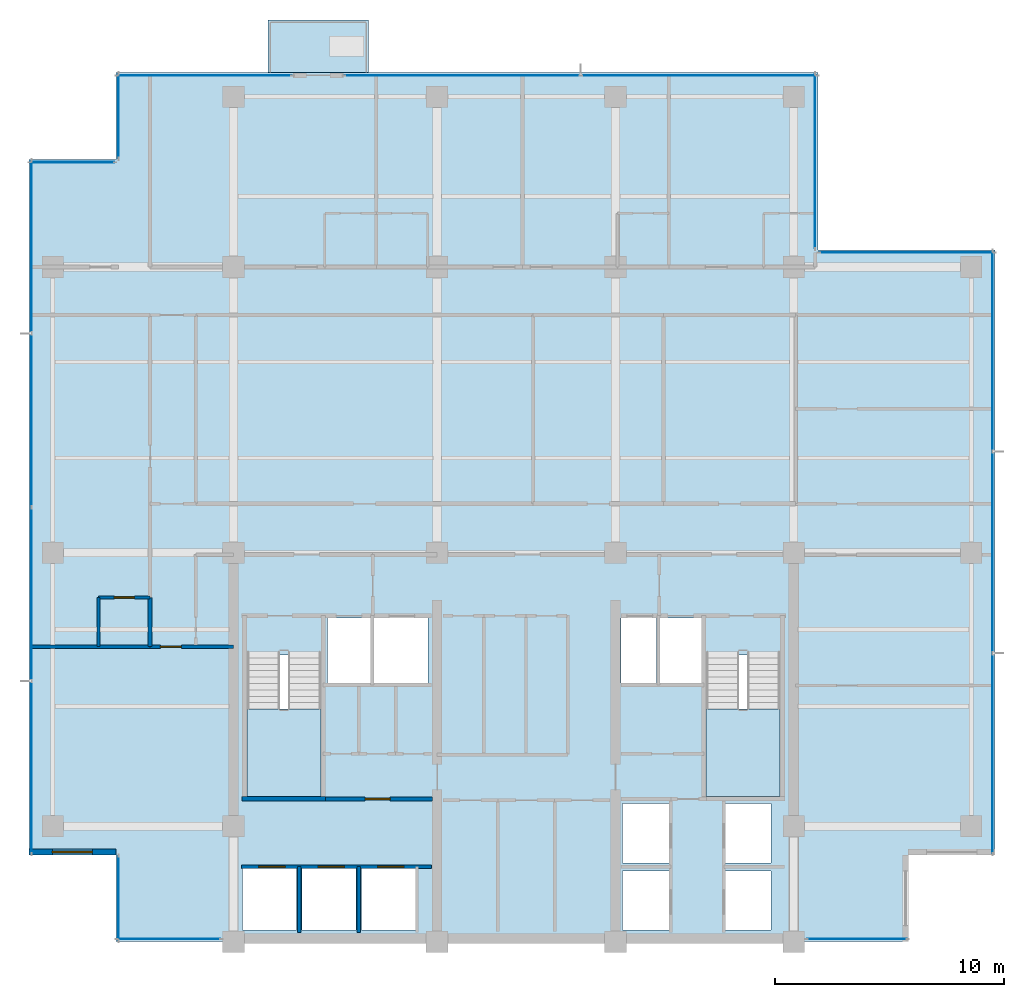
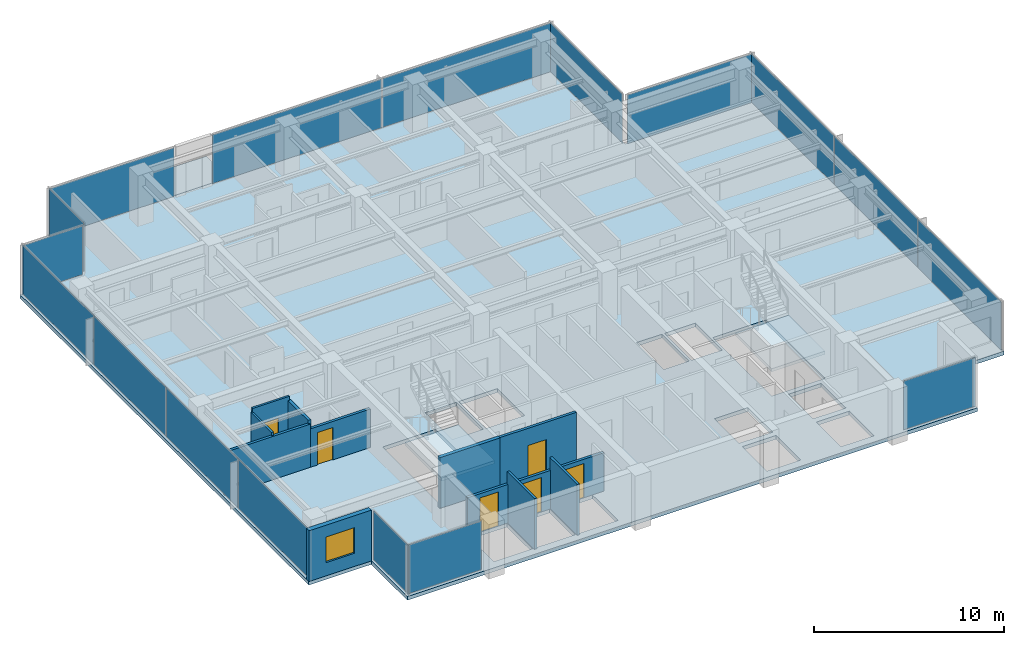
# One storey, part 6 of 14: 17 plates, 11 walls, 6 doors, 4 slabs, 1 window, 7 openings, 13 elements without a shape of their own.
"""IFC4 building model written with IfcOpenShell, lengths in metres."""

from ifc_helpers import new_model, si_unit, direction, frame, frame_2d, origin, origin_2d, place, context, subcontext, project, spatial, polyline, rectangle, outline, extrude, material, layer, layer_set, type_object, element, fill, aggregate, save


model = new_model("IFC4")

# Units and contexts
model_context = context("Model", 3, precision=1e-05, world=origin(), true_north=direction((0.0, 1.0)))
body_context = subcontext(model_context, "Body", "Model", "MODEL_VIEW")
ifc_project = project(units=[si_unit("LENGTHUNIT", "METRE"), si_unit("AREAUNIT", "SQUARE_METRE"), si_unit("VOLUMEUNIT", "CUBIC_METRE"), si_unit("PLANEANGLEUNIT", "RADIAN"), si_unit("MASSUNIT", "GRAM", prefix="KILO")], contexts=[model_context])

# Site, building, storey
site_placement = place(None, origin())
site = spatial("IfcSite", under=ifc_project, at=site_placement, CompositionType="ELEMENT")
building_placement = place(site_placement, origin())
building = spatial("IfcBuilding", under=site, at=building_placement, Name="Qalmaran Belvedere Hotel", CompositionType="ELEMENT")
storey_placement = place(building_placement, frame((0.0, 0.0, 228.39990234375)))
storey = spatial("IfcBuildingStorey", under=building, at=storey_placement, Name="L58", CompositionType="ELEMENT", Elevation=228.39990234375)

# Curtain wall, plate
ifc_material_1 = material(Name="Anodised Bronze Aluminium", Category="aluminium")
ifc_layer_1 = layer(ifc_material_1, 0.18994140625, Name="Anodised Bronze Aluminium")
ifc_layer_set_1 = layer_set([ifc_layer_1], Name="Anodised Bronze Aluminium")
curtain_wall_type = type_object("IfcCurtainWallType", Name="CW5-TOWER-UPPER", PredefinedType="NOTDEFINED", material=ifc_layer_set_1)
curtain_wall_1_placement = place(storey_placement, origin())
curtain_wall_1 = element("IfcCurtainWall", 1, at=curtain_wall_1_placement, inside=storey, type_object=curtain_wall_type, Name="L58 Curtain Wall CW5", PredefinedType="NOTDEFINED")
ifc_material_2 = material(Name="Solar-Control Double Glazing", Category="glass")
ifc_layer_2 = layer(ifc_material_2, 0.028076171875, Name="Solar-Control Double Glazing")
ifc_layer_set_2 = layer_set([ifc_layer_2], Name="Solar-Control Double Glazing")
plate_type = type_object("IfcPlateType", Name="CWP-VISION-28", PredefinedType="CURTAIN_PANEL", material=ifc_layer_set_2)
plate_1_placement = place(storey_placement, frame((17.467529296875, 3.6201171875, 0.065185546875), z_axis=(0.0, 0.0, 1.0), x_axis=(1.0, 0.0, 0.0)))
plate_1 = element("IfcPlate", 2, at=plate_1_placement, type_object=plate_type, Name="CW5 panel 1.1", PredefinedType="CURTAIN_PANEL", context=body_context, shape_type="SweptSolid", body=[
    extrude(rectangle(XDim=4.5048828125, YDim=0.028076171875, at=origin_2d()), origin(), (0.0, 0.0, 1.0), 3.1298828125),
])
aggregate(curtain_wall_1, [plate_1])

curtain_wall_2_placement = place(storey_placement, origin())
curtain_wall_2 = element("IfcCurtainWall", 3, at=curtain_wall_2_placement, inside=storey, type_object=curtain_wall_type, Name="L58 Curtain Wall CW5", PredefinedType="NOTDEFINED")
plate_2_placement = place(storey_placement, frame((47.5576171875, 3.6201171875, 0.065185546875), z_axis=(0.0, 0.0, 1.0), x_axis=(1.0, 0.0, 0.0)))
plate_2 = element("IfcPlate", 4, at=plate_2_placement, type_object=plate_type, Name="CW5 panel 1.1", PredefinedType="CURTAIN_PANEL", context=body_context, shape_type="SweptSolid", body=[
    extrude(rectangle(XDim=4.35498046875, YDim=0.028076171875, at=origin_2d()), origin(), (0.0, 0.0, 1.0), 3.1298828125),
])
aggregate(curtain_wall_2, [plate_2])

# Curtain wall, plates
curtain_wall_3_placement = place(storey_placement, origin())
curtain_wall_3 = element("IfcCurtainWall", 5, at=curtain_wall_3_placement, inside=storey, type_object=curtain_wall_type, Name="L58 Curtain Wall CW5", PredefinedType="NOTDEFINED")
plate_3_placement = place(storey_placement, frame((53.47998046875, 11.724609375, 0.065185546875), z_axis=(0.0, 0.0, 1.0), x_axis=(0.0, 1.0, 0.0)))
plate_3 = element("IfcPlate", 6, at=plate_3_placement, type_object=plate_type, Name="CW5 panel 1.1", PredefinedType="CURTAIN_PANEL", context=body_context, shape_type="SweptSolid", body=[
    extrude(rectangle(XDim=8.71923828125, YDim=0.028076171875, at=origin_2d()), origin(), (0.0, 0.0, 1.0), 3.1298828125),
])
plate_4_placement = place(storey_placement, frame((53.47998046875, 20.52490234375, 0.065185546875), z_axis=(0.0, 0.0, 1.0), x_axis=(0.0, 1.0, 0.0)))
plate_4 = element("IfcPlate", 7, at=plate_4_placement, type_object=plate_type, Name="CW5 panel 2.1", PredefinedType="CURTAIN_PANEL", context=body_context, shape_type="SweptSolid", body=[
    extrude(rectangle(XDim=8.751708984375, YDim=0.028076171875, at=origin_2d()), origin(), (0.0, 0.0, 1.0), 3.1298828125),
])
plate_5_placement = place(storey_placement, frame((53.47998046875, 29.325439453125, 0.065185546875), z_axis=(0.0, 0.0, 1.0), x_axis=(0.0, 1.0, 0.0)))
plate_5 = element("IfcPlate", 8, at=plate_5_placement, type_object=plate_type, Name="CW5 panel 3.1", PredefinedType="CURTAIN_PANEL", context=body_context, shape_type="SweptSolid", body=[
    extrude(rectangle(XDim=8.71923828125, YDim=0.028076171875, at=origin_2d()), origin(), (0.0, 0.0, 1.0), 3.1298828125),
])
aggregate(curtain_wall_3, [plate_3, plate_4, plate_5])

# Curtain wall, plate
curtain_wall_4_placement = place(storey_placement, origin())
curtain_wall_4 = element("IfcCurtainWall", 9, at=curtain_wall_4_placement, inside=storey, type_object=curtain_wall_type, Name="L58 Curtain Wall CW5", PredefinedType="NOTDEFINED")
plate_6_placement = place(storey_placement, frame((49.72509765625, 33.6298828125, 0.065185546875), z_axis=(0.0, 0.0, 1.0), x_axis=(-1.0, 0.0, 0.0)))
plate_6 = element("IfcPlate", 10, at=plate_6_placement, type_object=plate_type, Name="CW5 panel 1.1", PredefinedType="CURTAIN_PANEL", context=body_context, shape_type="SweptSolid", body=[
    extrude(rectangle(XDim=7.6201171875, YDim=0.028076171875, at=origin_2d()), origin(), (0.0, 0.0, 1.0), 3.1298828125),
])
aggregate(curtain_wall_4, [plate_6])

curtain_wall_5_placement = place(storey_placement, origin())
curtain_wall_5 = element("IfcCurtainWall", 11, at=curtain_wall_5_placement, inside=storey, type_object=curtain_wall_type, Name="L58 Curtain Wall CW5", PredefinedType="NOTDEFINED")
plate_7_placement = place(storey_placement, frame((45.72998046875, 37.625, 0.065185546875), z_axis=(0.0, 0.0, 1.0), x_axis=(0.0, 1.0, 0.0)))
plate_7 = element("IfcPlate", 12, at=plate_7_placement, type_object=plate_type, Name="CW5 panel 1.1", PredefinedType="CURTAIN_PANEL", context=body_context, shape_type="SweptSolid", body=[
    extrude(rectangle(XDim=7.6201171875, YDim=0.028076171875, at=origin_2d()), origin(), (0.0, 0.0, 1.0), 3.1298828125),
])
aggregate(curtain_wall_5, [plate_7])

curtain_wall_6_placement = place(storey_placement, origin())
curtain_wall_6 = element("IfcCurtainWall", 13, at=curtain_wall_6_placement, inside=storey, type_object=curtain_wall_type, Name="L58 Curtain Wall CW5", PredefinedType="NOTDEFINED")
plate_8_placement = place(storey_placement, frame((19.02490234375, 41.3798828125, 0.065185546875), z_axis=(0.0, 0.0, 1.0), x_axis=(-1.0, 0.0, 0.0)))
plate_8 = element("IfcPlate", 14, at=plate_8_placement, type_object=plate_type, Name="CW5 panel 1.1", PredefinedType="CURTAIN_PANEL", context=body_context, shape_type="SweptSolid", body=[
    extrude(rectangle(XDim=7.6201171875, YDim=0.028076171875, at=origin_2d()), origin(), (0.0, 0.0, 1.0), 3.1298828125),
])
aggregate(curtain_wall_6, [plate_8])

# Curtain wall, plates
curtain_wall_7_placement = place(storey_placement, origin())
curtain_wall_7 = element("IfcCurtainWall", 15, at=curtain_wall_7_placement, inside=storey, type_object=curtain_wall_type, Name="L58 Curtain Wall CW5", PredefinedType="NOTDEFINED")
plate_9_placement = place(storey_placement, frame((40.646240234375, 41.3798828125, 0.065185546875), z_axis=(0.0, 0.0, 1.0), x_axis=(-1.0, 0.0, 0.0)))
plate_9 = element("IfcPlate", 16, at=plate_9_placement, type_object=plate_type, Name="CW5 panel 1.1", PredefinedType="CURTAIN_PANEL", context=body_context, shape_type="SweptSolid", body=[
    extrude(rectangle(XDim=10.277587890625, YDim=0.028076171875, at=origin_2d()), origin(), (0.0, 0.0, 1.0), 3.1298828125),
])
plate_10_placement = place(storey_placement, frame((30.3037109375, 41.3798828125, 0.065185546875), z_axis=(0.0, 0.0, 1.0), x_axis=(-1.0, 0.0, 0.0)))
plate_10 = element("IfcPlate", 17, at=plate_10_placement, type_object=plate_type, Name="CW5 panel 2.1", PredefinedType="CURTAIN_PANEL", context=body_context, shape_type="SweptSolid", body=[
    extrude(rectangle(XDim=10.277587890625, YDim=0.028076171875, at=origin_2d()), origin(), (0.0, 0.0, 1.0), 3.1298828125),
])
aggregate(curtain_wall_7, [plate_9, plate_10])

# Curtain wall, plate
curtain_wall_8_placement = place(storey_placement, origin())
curtain_wall_8 = element("IfcCurtainWall", 18, at=curtain_wall_8_placement, inside=storey, type_object=curtain_wall_type, Name="L58 Curtain Wall CW5", PredefinedType="NOTDEFINED")
plate_11_placement = place(storey_placement, frame((15.27001953125, 39.60009765625, 0.065185546875), z_axis=(0.0, 0.0, 1.0), x_axis=(0.0, -1.0, 0.0)))
plate_11 = element("IfcPlate", 19, at=plate_11_placement, type_object=plate_type, Name="CW5 panel 1.1", PredefinedType="CURTAIN_PANEL", context=body_context, shape_type="SweptSolid", body=[
    extrude(rectangle(XDim=3.669921875, YDim=0.028076171875, at=origin_2d()), origin(), (0.0, 0.0, 1.0), 3.1298828125),
])
aggregate(curtain_wall_8, [plate_11])

curtain_wall_9_placement = place(storey_placement, origin())
curtain_wall_9 = element("IfcCurtainWall", 20, at=curtain_wall_9_placement, inside=storey, type_object=curtain_wall_type, Name="L58 Curtain Wall CW5", PredefinedType="NOTDEFINED")
plate_12_placement = place(storey_placement, frame((13.25, 37.580078125, 0.065185546875), z_axis=(0.0, 0.0, 1.0), x_axis=(-1.0, 0.0, 0.0)))
plate_12 = element("IfcPlate", 21, at=plate_12_placement, type_object=plate_type, Name="CW5 panel 1.1", PredefinedType="CURTAIN_PANEL", context=body_context, shape_type="SweptSolid", body=[
    extrude(rectangle(XDim=3.669921875, YDim=0.028076171875, at=origin_2d()), origin(), (0.0, 0.0, 1.0), 3.1298828125),
])
aggregate(curtain_wall_9, [plate_12])

# Curtain wall, plates
curtain_wall_10_placement = place(storey_placement, origin())
curtain_wall_10 = element("IfcCurtainWall", 22, at=curtain_wall_10_placement, inside=storey, type_object=curtain_wall_type, Name="L58 Curtain Wall CW5", PredefinedType="NOTDEFINED")
plate_13_placement = place(storey_placement, frame((11.469970703125, 33.8837890625, 0.065185546875), z_axis=(0.0, 0.0, 1.0), x_axis=(0.0, -1.0, 0.0)))
plate_13 = element("IfcPlate", 23, at=plate_13_placement, type_object=plate_type, Name="CW5 panel 1.1", PredefinedType="CURTAIN_PANEL", context=body_context, shape_type="SweptSolid", body=[
    extrude(rectangle(XDim=7.50244140625, YDim=0.028076171875, at=origin_2d()), origin(), (0.0, 0.0, 1.0), 3.1298828125),
])
plate_14_placement = place(storey_placement, frame((11.469970703125, 26.300048828125, 0.065185546875), z_axis=(0.0, 0.0, 1.0), x_axis=(0.0, -1.0, 0.0)))
plate_14 = element("IfcPlate", 24, at=plate_14_placement, type_object=plate_type, Name="CW5 panel 2.1", PredefinedType="CURTAIN_PANEL", context=body_context, shape_type="SweptSolid", body=[
    extrude(rectangle(XDim=7.534912109375, YDim=0.028076171875, at=origin_2d()), origin(), (0.0, 0.0, 1.0), 3.1298828125),
])
plate_15_placement = place(storey_placement, frame((11.469970703125, 18.699951171875, 0.065185546875), z_axis=(0.0, 0.0, 1.0), x_axis=(0.0, -1.0, 0.0)))
plate_15 = element("IfcPlate", 25, at=plate_15_placement, type_object=plate_type, Name="CW5 panel 3.1", PredefinedType="CURTAIN_PANEL", context=body_context, shape_type="SweptSolid", body=[
    extrude(rectangle(XDim=7.534912109375, YDim=0.028076171875, at=origin_2d()), origin(), (0.0, 0.0, 1.0), 3.1298828125),
])
plate_16_placement = place(storey_placement, frame((11.469970703125, 11.1162109375, 0.065185546875), z_axis=(0.0, 0.0, 1.0), x_axis=(0.0, -1.0, 0.0)))
plate_16 = element("IfcPlate", 26, at=plate_16_placement, type_object=plate_type, Name="CW5 panel 4.1", PredefinedType="CURTAIN_PANEL", context=body_context, shape_type="SweptSolid", body=[
    extrude(rectangle(XDim=7.50244140625, YDim=0.028076171875, at=origin_2d()), origin(), (0.0, 0.0, 1.0), 3.1298828125),
])
aggregate(curtain_wall_10, [plate_13, plate_14, plate_15, plate_16])

# Curtain wall, plate
curtain_wall_11_placement = place(storey_placement, origin())
curtain_wall_11 = element("IfcCurtainWall", 27, at=curtain_wall_11_placement, inside=storey, type_object=curtain_wall_type, Name="L58 Curtain Wall CW5", PredefinedType="NOTDEFINED")
plate_17_placement = place(storey_placement, frame((15.27001953125, 5.39990234375, 0.065185546875), z_axis=(0.0, 0.0, 1.0), x_axis=(0.0, -1.0, 0.0)))
plate_17 = element("IfcPlate", 28, at=plate_17_placement, type_object=plate_type, Name="CW5 panel 1.1", PredefinedType="CURTAIN_PANEL", context=body_context, shape_type="SweptSolid", body=[
    extrude(rectangle(XDim=3.669921875, YDim=0.028076171875, at=origin_2d()), origin(), (0.0, 0.0, 1.0), 3.1298828125),
])
aggregate(curtain_wall_11, [plate_17])

# Slab
ifc_material_3 = material(Name="Concrete C40/50", Category="concrete")
ifc_layer_3 = layer(ifc_material_3, 0.219970703125, Name="Concrete C40/50")
ifc_layer_set_3 = layer_set([ifc_layer_3], Name="Concrete C40/50")
slab_type_1 = type_object("IfcSlabType", Name="SLB-BAL-220", PredefinedType="USERDEFINED", material=ifc_layer_set_3)
slab_1_placement = place(storey_placement, frame((0.0, 0.0, -0.219970703125)))
element("IfcSlab", 29, at=slab_1_placement, inside=storey, type_object=slab_type_1, Name="L58 Planted Tree Balcony Slab 1", ObjectType="BALCONY", PredefinedType="USERDEFINED", context=body_context, shape_type="SweptSolid", body=[
    extrude(outline(polyline([(21.800048828125, 41.5), (26.199951171875, 41.5), (26.199951171875, 43.800048828125), (21.800048828125, 43.800048828125), (21.800048828125, 41.5)])), origin(), (0.0, 0.0, 1.0), 0.219970703125),
])

# Stair, slab
stair_type_1 = type_object("IfcStairType", Name="STR-ST-1-1450-R1750", PredefinedType="HALF_TURN_STAIR", material=ifc_material_3)
stair_1_placement = place(storey_placement, origin())
stair_1 = element("IfcStair", 30, at=stair_1_placement, inside=storey, type_object=stair_type_1, Name="L58 West Core Exit Stair ST-1", PredefinedType="HALF_TURN_STAIR")
ifc_layer_4 = layer(ifc_material_3, 0.199951171875, Name="Concrete C40/50")
ifc_layer_set_4 = layer_set([ifc_layer_4], Name="Concrete C40/50")
slab_type_2 = type_object("IfcSlabType", Name="SLB-STAIR-LANDING-200", PredefinedType="LANDING", material=ifc_layer_set_4)
slab_2_placement = place(storey_placement, frame((0.0, 0.0, 1.550048828125)))
slab_2 = element("IfcSlab", 31, at=slab_2_placement, type_object=slab_type_2, Name="ST-1 landing 1", PredefinedType="LANDING", context=body_context, shape_type="SweptSolid", body=[
    extrude(outline(polyline([(20.8798828125, 13.669921875), (20.8798828125, 9.85009765625), (24.1201171875, 9.85009765625), (24.1201171875, 13.669921875), (20.8798828125, 13.669921875)])), origin(), (0.0, 0.0, 1.0), 0.199951171875),
])
aggregate(stair_1, [slab_2])

stair_type_2 = type_object("IfcStairType", Name="STR-ST-2-1450-R1750", PredefinedType="HALF_TURN_STAIR", material=ifc_material_3)
stair_2_placement = place(storey_placement, origin())
stair_2 = element("IfcStair", 32, at=stair_2_placement, inside=storey, type_object=stair_type_2, Name="L58 East Core Exit Stair ST-2", PredefinedType="HALF_TURN_STAIR")
slab_3_placement = place(storey_placement, frame((0.0, 0.0, 1.550048828125)))
slab_3 = element("IfcSlab", 33, at=slab_3_placement, type_object=slab_type_2, Name="ST-2 landing 1", PredefinedType="LANDING", context=body_context, shape_type="SweptSolid", body=[
    extrude(outline(polyline([(40.9599609375, 13.669921875), (40.9599609375, 9.85009765625), (44.199951171875, 9.85009765625), (44.199951171875, 13.669921875), (40.9599609375, 13.669921875)])), origin(), (0.0, 0.0, 1.0), 0.199951171875),
])
aggregate(stair_2, [slab_3])

# Slab
ifc_layer_5 = layer(ifc_material_3, 0.239990234375, Name="Concrete C40/50")
ifc_layer_set_5 = layer_set([ifc_layer_5], Name="Concrete C40/50")
slab_type_3 = type_object("IfcSlabType", Name="SLB-Z4-240", PredefinedType="FLOOR", material=ifc_layer_set_5)
slab_4_placement = place(storey_placement, frame((0.0, 0.0, -0.239990234375)))
element("IfcSlab", 34, at=slab_4_placement, inside=storey, type_object=slab_type_3, Name="L58 Structural Floor Slab", PredefinedType="FLOOR", context=body_context, shape_type="SweptSolid", body=[
    extrude(outline(polyline([(15.14990234375, 3.5), (49.800048828125, 3.5), (49.800048828125, 7.300048828125), (53.60009765625, 7.300048828125), (53.60009765625, 33.75), (45.85009765625, 33.75), (45.85009765625, 41.5), (15.14990234375, 41.5), (15.14990234375, 37.699951171875), (11.35009765625, 37.699951171875), (11.35009765625, 7.300048828125), (15.14990234375, 7.300048828125), (15.14990234375, 3.5)]), holes=[polyline([(20.8798828125, 9.85009765625), (24.1201171875, 9.85009765625), (24.1201171875, 16.0400390625), (20.8798828125, 16.0400390625), (20.8798828125, 9.85009765625)]), polyline([(40.9599609375, 9.85009765625), (44.199951171875, 9.85009765625), (44.199951171875, 16.0400390625), (40.9599609375, 16.0400390625), (40.9599609375, 9.85009765625)]), polyline([(37.300048828125, 4.0), (39.35009765625, 4.0), (39.35009765625, 6.60009765625), (37.300048828125, 6.60009765625), (37.300048828125, 4.0)]), polyline([(37.300048828125, 6.949951171875), (39.35009765625, 6.949951171875), (39.35009765625, 9.550048828125), (37.300048828125, 9.550048828125), (37.300048828125, 6.949951171875)]), polyline([(41.800048828125, 4.0), (43.800048828125, 4.0), (43.800048828125, 6.60009765625), (41.800048828125, 6.60009765625), (41.800048828125, 4.0)]), polyline([(41.800048828125, 6.949951171875), (43.800048828125, 6.949951171875), (43.800048828125, 9.550048828125), (41.800048828125, 9.550048828125), (41.800048828125, 6.949951171875)]), polyline([(20.699951171875, 4.0), (23.050048828125, 4.0), (23.050048828125, 6.699951171875), (20.699951171875, 6.699951171875), (20.699951171875, 4.0)]), polyline([(23.300048828125, 4.0), (25.64990234375, 4.0), (25.64990234375, 6.699951171875), (23.300048828125, 6.699951171875), (23.300048828125, 4.0)]), polyline([(25.89990234375, 4.0), (28.25, 4.0), (28.25, 6.699951171875), (25.89990234375, 6.699951171875), (25.89990234375, 4.0)]), polyline([(24.39990234375, 14.800048828125), (26.300048828125, 14.800048828125), (26.300048828125, 17.64990234375), (24.39990234375, 17.64990234375), (24.39990234375, 14.800048828125)]), polyline([(38.949951171875, 14.800048828125), (40.820068359375, 14.800048828125), (40.820068359375, 17.64990234375), (38.949951171875, 17.64990234375), (38.949951171875, 14.800048828125)]), polyline([(26.449951171875, 14.800048828125), (28.800048828125, 14.800048828125), (28.800048828125, 17.64990234375), (26.449951171875, 17.64990234375), (26.449951171875, 14.800048828125)]), polyline([(37.25, 14.800048828125), (38.800048828125, 14.800048828125), (38.800048828125, 17.64990234375), (37.25, 17.64990234375), (37.25, 14.800048828125)])]), origin(), (0.0, 0.0, 1.0), 0.239990234375),
])

# Wall, opening, window
ifc_material_4 = material(Name="Anodised Bronze Cladding")
ifc_layer_6 = layer(ifc_material_4, 0.280029296875, Name="Anodised Bronze Cladding")
ifc_layer_set_6 = layer_set([ifc_layer_6], Name="Anodised Bronze Cladding")
wall_type_1 = type_object("IfcWallType", Name="WL-EXT-BRNZ-280", PredefinedType="SOLIDWALL", material=ifc_layer_set_6)
wall_1_placement = place(storey_placement, frame((11.35009765625, 7.419921875, 0.0), z_axis=(0.0, 0.0, 1.0), x_axis=(1.0, 0.0, 0.0)))
wall_1 = element("IfcWall", 35, at=wall_1_placement, inside=storey, type_object=wall_type_1, Name="L58 Corner Notch Wall 10", PredefinedType="SOLIDWALL", context=body_context, shape_type="SweptSolid", body=[
    extrude(rectangle(XDim=3.7998046875, YDim=0.280029296875, at=frame_2d((1.89990234375, 0.0))), origin(), (0.0, 0.0, 1.0), 3.260009765625),
])
opening_1_placement = place(wall_1_placement, frame((1.02490234375, 0.0, 0.85009765625)))
opening_1 = element("IfcOpeningElement", 36, at=opening_1_placement, cuts=wall_1, Name="Opening W-N17", PredefinedType="OPENING", context=body_context, shape_type="SweptSolid", body=[
    extrude(rectangle(XDim=1.75, YDim=1.64990234375, at=frame_2d((0.875, 0.824951171875))), frame((0.0, 0.14990234375, 0.0), z_axis=(0.0, -1.0, 0.0), x_axis=(1.0, 0.0, 0.0)), (0.0, 0.0, 1.0), 0.300048828125),
])
window_type = type_object("IfcWindowType", Name="WN-NTC-1750X1650", PartitioningType="SINGLE_PANEL", PredefinedType="WINDOW", material=ifc_material_2)
window_placement = place(opening_1_placement, origin())
window = element("IfcWindow", 37, at=window_placement, inside=storey, type_object=window_type, Name="L58 Corner Notch Window 10", OverallHeight=1.64990234375, OverallWidth=1.75, PartitioningType="SINGLE_PANEL", PredefinedType="WINDOW", context=body_context, shape_type="SweptSolid", body=[
    extrude(rectangle(XDim=1.75, YDim=1.64990234375, at=frame_2d((0.875, 0.824951171875))), frame((0.0, 0.030029296875, 0.0), z_axis=(0.0, -1.0, 0.0), x_axis=(1.0, 0.0, 0.0)), (0.0, 0.0, 1.0), 0.06005859375),
])
fill(opening_1, window)

# Wall, opening, door
ifc_material_5 = material(Name="Moisture-Resistant Gypsum")
ifc_layer_7 = layer(ifc_material_5, 0.1201171875, Name="Moisture-Resistant Gypsum")
ifc_layer_set_7 = layer_set([ifc_layer_7], Name="Moisture-Resistant Gypsum")
wall_type_2 = type_object("IfcWallType", Name="WL-INT-120-BATH", PredefinedType="PARTITIONING", material=ifc_layer_set_7)
wall_2_placement = place(storey_placement, frame((14.39990234375, 18.550048828125, 0.0), z_axis=(0.0, 0.0, 1.0), x_axis=(1.0, 0.0, 0.0)))
wall_2 = element("IfcWall", 38, at=wall_2_placement, inside=storey, type_object=wall_type_2, Name="L58 Partition WL-L58-WBN00", PredefinedType="PARTITIONING", context=body_context, shape_type="SweptSolid", body=[
    extrude(rectangle(XDim=2.25, YDim=0.1201171875, at=frame_2d((1.125, 0.0))), origin(), (0.0, 0.0, 1.0), 3.260009765625),
])
opening_2_placement = place(wall_2_placement, frame((1.56494140625, 0.0, 0.0), z_axis=(0.0, 0.0, 1.0), x_axis=(-1.0, 0.0, 0.0)))
opening_2 = element("IfcOpeningElement", 39, at=opening_2_placement, cuts=wall_2, Name="Opening D-BATH", PredefinedType="OPENING", context=body_context, shape_type="SweptSolid", body=[
    extrude(rectangle(XDim=0.8798828125, YDim=2.080078125, at=frame_2d((0.43994140625, 1.0400390625))), frame((0.0, 0.070068359375, 0.0), z_axis=(0.0, -1.0, 0.0), x_axis=(1.0, 0.0, 0.0)), (0.0, 0.0, 1.0), 0.14013671875),
])
ifc_material_6 = material(Name="Engineered Oak Veneer")
door_type_1 = type_object("IfcDoorType", Name="DR-INT-BATH-880X2080", OperationType="NOTDEFINED", PredefinedType="DOOR", material=ifc_material_6)
door_1_placement = place(opening_2_placement, origin())
door_1 = element("IfcDoor", 40, at=door_1_placement, inside=storey, type_object=door_type_1, Name="L58 W Ensuite Door 01", OperationType="SINGLE_SWING_LEFT", OverallHeight=2.080078125, OverallWidth=0.8798828125, PredefinedType="DOOR", context=body_context, shape_type="SweptSolid", body=[
    extrude(rectangle(XDim=0.8798828125, YDim=2.080078125, at=frame_2d((0.43994140625, 1.0400390625))), frame((0.0, 0.02490234375, 0.0), z_axis=(0.0, -1.0, 0.0), x_axis=(1.0, 0.0, 0.0)), (0.0, 0.0, 1.0), 0.050048828125),
])
fill(opening_2, door_1)

# Walls
wall_3_placement = place(storey_placement, frame((14.39990234375, 16.39990234375, 0.0), z_axis=(0.0, 0.0, 1.0), x_axis=(0.0, 1.0, 0.0)))
element("IfcWall", 41, at=wall_3_placement, inside=storey, type_object=wall_type_2, Name="L58 Partition WL-L58-WBS00", PredefinedType="PARTITIONING", context=body_context, shape_type="SweptSolid", body=[
    extrude(rectangle(XDim=2.150146484375, YDim=0.1201171875, at=frame_2d((1.0751953125, 0.0))), origin(), (0.0, 0.0, 1.0), 2.998046875),
])
ifc_material_7 = material(Name="Gypsum Stud Partition")
ifc_layer_8 = layer(ifc_material_7, 0.14990234375, Name="Gypsum Stud Partition")
ifc_layer_set_8 = layer_set([ifc_layer_8], Name="Gypsum Stud Partition")
wall_type_3 = type_object("IfcWallType", Name="WL-INT-150-EI120", PredefinedType="PARTITIONING", material=ifc_layer_set_8)
for number, where, z_axis, x_axis, name in (
    (42, (23.179931640625, 3.89990234375, 0.0), (0.0, 0.0, 1.0), (0.0, 1.0, 0.0), "L58 Partition WL-POM1-L58"),
    (43, (25.780029296875, 3.89990234375, 0.0), (0.0, 0.0, 1.0), (0.0, 1.0, 0.0), "L58 Partition WL-POM2-L58"),
):
    element("IfcWall", number, at=place(storey_placement, frame(where, z_axis=z_axis, x_axis=x_axis)), inside=storey, type_object=wall_type_3, Name=name, PredefinedType="PARTITIONING", context=body_context, shape_type="SweptSolid", body=[
        extrude(rectangle(XDim=2.880126953125, YDim=0.14990234375, at=frame_2d((1.43994140625, 0.0))), origin(), (0.0, 0.0, 1.0), 3.260009765625),
    ])

# Wall, openings, doors
ifc_layer_9 = layer(ifc_material_7, 0.159912109375, Name="Gypsum Stud Partition")
ifc_layer_set_9 = layer_set([ifc_layer_9], Name="Gypsum Stud Partition")
wall_type_4 = type_object("IfcWallType", Name="WL-INT-160-EI120", PredefinedType="PARTITIONING", material=ifc_layer_set_9)
wall_4_placement = place(storey_placement, frame((20.64990234375, 6.780029296875, 0.0), z_axis=(0.0, 0.0, 1.0), x_axis=(1.0, 0.0, 0.0)))
wall_4 = element("IfcWall", 44, at=wall_4_placement, inside=storey, type_object=wall_type_4, Name="L58 Partition WL-POS-L58", PredefinedType="PARTITIONING", context=body_context, shape_type="SweptSolid", body=[
    extrude(rectangle(XDim=8.300048828125, YDim=0.159912109375, at=frame_2d((4.14990234375, 0.0))), origin(), (0.0, 0.0, 1.0), 2.47216796875),
])
opening_3_placement = place(wall_4_placement, frame((0.75, 0.0, 0.0)))
opening_3 = element("IfcOpeningElement", 45, at=opening_3_placement, cuts=wall_4, Name="Opening LD-PO", PredefinedType="OPENING", context=body_context, shape_type="SweptSolid", body=[
    extrude(rectangle(XDim=1.14990234375, YDim=2.199951171875, at=frame_2d((0.574951171875, 1.10009765625))), frame((0.0, 0.08984375, 0.0), z_axis=(0.0, -1.0, 0.0), x_axis=(1.0, 0.0, 0.0)), (0.0, 0.0, 1.0), 0.179931640625),
])
opening_4_placement = place(wall_4_placement, frame((3.35009765625, 0.0, 0.0)))
opening_4 = element("IfcOpeningElement", 46, at=opening_4_placement, cuts=wall_4, Name="Opening LD-PO", PredefinedType="OPENING", context=body_context, shape_type="SweptSolid", body=[
    extrude(rectangle(XDim=1.14990234375, YDim=2.199951171875, at=frame_2d((0.574951171875, 1.10009765625))), frame((0.0, 0.08984375, 0.0), z_axis=(0.0, -1.0, 0.0), x_axis=(1.0, 0.0, 0.0)), (0.0, 0.0, 1.0), 0.179931640625),
])
opening_5_placement = place(wall_4_placement, frame((5.949951171875, 0.0, 0.0)))
opening_5 = element("IfcOpeningElement", 47, at=opening_5_placement, cuts=wall_4, Name="Opening LD-PO", PredefinedType="OPENING", context=body_context, shape_type="SweptSolid", body=[
    extrude(rectangle(XDim=1.14990234375, YDim=2.199951171875, at=frame_2d((0.574951171875, 1.10009765625))), frame((0.0, 0.08984375, 0.0), z_axis=(0.0, -1.0, 0.0), x_axis=(1.0, 0.0, 0.0)), (0.0, 0.0, 1.0), 0.179931640625),
])
door_type_2 = type_object("IfcDoorType", Name="DR-LIFT-PO-1150X2200", OperationType="DOUBLE_DOOR_SLIDING", PredefinedType="DOOR", material=ifc_material_1)
door_2_placement = place(opening_3_placement, origin())
door_2 = element("IfcDoor", 48, at=door_2_placement, inside=storey, type_object=door_type_2, Name="L58 PO1 Shuttle Landing Door", OperationType="DOUBLE_DOOR_SLIDING", OverallHeight=2.199951171875, OverallWidth=1.14990234375, PredefinedType="DOOR", context=body_context, shape_type="SweptSolid", body=[
    extrude(rectangle(XDim=1.14990234375, YDim=2.199951171875, at=frame_2d((0.574951171875, 1.10009765625))), frame((0.0, 0.02490234375, 0.0), z_axis=(0.0, -1.0, 0.0), x_axis=(1.0, 0.0, 0.0)), (0.0, 0.0, 1.0), 0.050048828125),
])
fill(opening_3, door_2)
door_3_placement = place(opening_4_placement, origin())
door_3 = element("IfcDoor", 49, at=door_3_placement, inside=storey, type_object=door_type_2, Name="L58 PO2 Shuttle Landing Door", OperationType="DOUBLE_DOOR_SLIDING", OverallHeight=2.199951171875, OverallWidth=1.14990234375, PredefinedType="DOOR", context=body_context, shape_type="SweptSolid", body=[
    extrude(rectangle(XDim=1.14990234375, YDim=2.199951171875, at=frame_2d((0.574951171875, 1.10009765625))), frame((0.0, 0.02490234375, 0.0), z_axis=(0.0, -1.0, 0.0), x_axis=(1.0, 0.0, 0.0)), (0.0, 0.0, 1.0), 0.050048828125),
])
fill(opening_4, door_3)
door_4_placement = place(opening_5_placement, origin())
door_4 = element("IfcDoor", 50, at=door_4_placement, inside=storey, type_object=door_type_2, Name="L58 PO3 Shuttle Landing Door", OperationType="DOUBLE_DOOR_SLIDING", OverallHeight=2.199951171875, OverallWidth=1.14990234375, PredefinedType="DOOR", context=body_context, shape_type="SweptSolid", body=[
    extrude(rectangle(XDim=1.14990234375, YDim=2.199951171875, at=frame_2d((0.574951171875, 1.10009765625))), frame((0.0, 0.02490234375, 0.0), z_axis=(0.0, -1.0, 0.0), x_axis=(1.0, 0.0, 0.0)), (0.0, 0.0, 1.0), 0.050048828125),
])
fill(opening_5, door_4)

# Wall, opening, door
wall_5_placement = place(storey_placement, frame((24.199951171875, 9.739990234375, 0.0), z_axis=(0.0, 0.0, 1.0), x_axis=(1.0, 0.0, 0.0)))
wall_5 = element("IfcWall", 51, at=wall_5_placement, inside=storey, type_object=wall_type_4, Name="L58 Partition WL-PON-L58", PredefinedType="PARTITIONING", context=body_context, shape_type="SweptSolid", body=[
    extrude(rectangle(XDim=4.800048828125, YDim=0.159912109375, at=frame_2d((2.39990234375, 0.0))), origin(), (0.0, 0.0, 1.0), 3.260009765625),
])
opening_6_placement = place(wall_5_placement, frame((1.85009765625, 0.0, 0.0)))
opening_6 = element("IfcOpeningElement", 52, at=opening_6_placement, cuts=wall_5, Name="Opening FD90", PredefinedType="OPENING", context=body_context, shape_type="SweptSolid", body=[
    extrude(rectangle(XDim=1.10009765625, YDim=2.14990234375, at=frame_2d((0.550048828125, 1.074951171875))), frame((0.0, 0.08984375, 0.0), z_axis=(0.0, -1.0, 0.0), x_axis=(1.0, 0.0, 0.0)), (0.0, 0.0, 1.0), 0.179931640625),
])
ifc_material_8 = material(Name="Steel S355JR", Category="steel")
door_type_3 = type_object("IfcDoorType", Name="DR-FD90-1100X2150", OperationType="NOTDEFINED", PredefinedType="DOOR", material=ifc_material_8)
door_5_placement = place(opening_6_placement, origin())
door_5 = element("IfcDoor", 53, at=door_5_placement, inside=storey, type_object=door_type_3, Name="L58 Shuttle Lobby Passage Door", OperationType="SINGLE_SWING_RIGHT", OverallHeight=2.14990234375, OverallWidth=1.10009765625, PredefinedType="DOOR", context=body_context, shape_type="SweptSolid", body=[
    extrude(rectangle(XDim=1.10009765625, YDim=2.14990234375, at=frame_2d((0.550048828125, 1.074951171875))), frame((0.0, 0.02490234375, 0.0), z_axis=(0.0, -1.0, 0.0), x_axis=(1.0, 0.0, 0.0)), (0.0, 0.0, 1.0), 0.050048828125),
])
fill(opening_6, door_5)

ifc_layer_10 = layer(ifc_material_7, 0.159912109375, Name="Gypsum Stud Partition")
ifc_layer_set_10 = layer_set([ifc_layer_10], Name="Gypsum Stud Partition")
wall_type_5 = type_object("IfcWallType", Name="WL-INT-160-EI60", PredefinedType="PARTITIONING", material=ifc_layer_set_10)
wall_6_placement = place(storey_placement, frame((16.64990234375, 16.39990234375, 0.0), z_axis=(0.0, 0.0, 1.0), x_axis=(1.0, 0.0, 0.0)))
wall_6 = element("IfcWall", 54, at=wall_6_placement, inside=storey, type_object=wall_type_5, Name="L58 Partition WL-L58-SWRL", PredefinedType="PARTITIONING", context=body_context, shape_type="SweptSolid", body=[
    extrude(rectangle(XDim=3.650146484375, YDim=0.159912109375, at=frame_2d((1.8251953125, 0.0))), origin(), (0.0, 0.0, 1.0), 2.47216796875),
])
opening_7_placement = place(wall_6_placement, frame((1.369873046875, 0.0, 0.0), z_axis=(0.0, 0.0, 1.0), x_axis=(-1.0, 0.0, 0.0)))
opening_7 = element("IfcOpeningElement", 55, at=opening_7_placement, cuts=wall_6, Name="Opening FD60S1", PredefinedType="OPENING", context=body_context, shape_type="SweptSolid", body=[
    extrude(rectangle(XDim=0.919921875, YDim=2.080078125, at=frame_2d((0.4599609375, 1.0400390625))), frame((0.0, 0.08984375, 0.0), z_axis=(0.0, -1.0, 0.0), x_axis=(1.0, 0.0, 0.0)), (0.0, 0.0, 1.0), 0.179931640625),
])
door_type_4 = type_object("IfcDoorType", Name="DR-FD60S-920X2080", OperationType="NOTDEFINED", PredefinedType="DOOR", material=ifc_material_6)
door_6_placement = place(opening_7_placement, origin())
door_6 = element("IfcDoor", 56, at=door_6_placement, inside=storey, type_object=door_type_4, Name="L58 SW Study Door", OperationType="SINGLE_SWING_RIGHT", OverallHeight=2.080078125, OverallWidth=0.919921875, PredefinedType="DOOR", context=body_context, shape_type="SweptSolid", body=[
    extrude(rectangle(XDim=0.919921875, YDim=2.080078125, at=frame_2d((0.4599609375, 1.0400390625))), frame((0.0, 0.02490234375, 0.0), z_axis=(0.0, -1.0, 0.0), x_axis=(1.0, 0.0, 0.0)), (0.0, 0.0, 1.0), 0.050048828125),
])
fill(opening_7, door_6)

# Walls
wall_7_placement = place(storey_placement, frame((11.469970703125, 16.39990234375, 0.0), z_axis=(0.0, 0.0, 1.0), x_axis=(1.0, 0.0, 0.0)))
element("IfcWall", 57, at=wall_7_placement, inside=storey, type_object=wall_type_5, Name="L58 Partition WL-L58-WBOT", PredefinedType="PARTITIONING", context=body_context, shape_type="SweptSolid", body=[
    extrude(rectangle(XDim=5.179931640625, YDim=0.159912109375, at=frame_2d((2.58984375, 0.0))), origin(), (0.0, 0.0, 1.0), 2.781982421875),
])
ifc_layer_11 = layer(ifc_material_7, 0.179931640625, Name="Gypsum Stud Partition")
ifc_layer_set_11 = layer_set([ifc_layer_11], Name="Gypsum Stud Partition")
wall_type_6 = type_object("IfcWallType", Name="WL-INT-180-EI60", PredefinedType="PARTITIONING", material=ifc_layer_set_11)
wall_8_placement = place(storey_placement, frame((16.64990234375, 16.39990234375, 0.0), z_axis=(0.0, 0.0, 1.0), x_axis=(0.0, 1.0, 0.0)))
element("IfcWall", 58, at=wall_8_placement, inside=storey, type_object=wall_type_6, Name="L58 Partition WL-L58-WBC00", PredefinedType="PARTITIONING", context=body_context, shape_type="SweptSolid", body=[
    extrude(rectangle(XDim=2.150146484375, YDim=0.179931640625, at=frame_2d((1.0751953125, 0.0))), origin(), (0.0, 0.0, 1.0), 2.998046875),
])
ifc_material_9 = material(Name="Concrete C50/60", Category="concrete")
ifc_layer_12 = layer(ifc_material_9, 0.2099609375, Name="Concrete C50/60")
ifc_layer_set_12 = layer_set([ifc_layer_12], Name="Concrete C50/60")
wall_type_7 = type_object("IfcWallType", Name="WL-STAIR-210-C50", PredefinedType="SHEAR", material=ifc_layer_set_12)
wall_9_placement = place(storey_placement, frame((20.669921875, 9.7451171875, 0.0), z_axis=(0.0, 0.0, 1.0), x_axis=(1.0, 0.0, 0.0)))
element("IfcWall", 59, at=wall_9_placement, inside=storey, type_object=wall_type_7, Name="L58 Stair ST-1 South Bearing Wall", PredefinedType="SHEAR", context=body_context, shape_type="SweptSolid", body=[
    extrude(rectangle(XDim=3.66015625, YDim=0.2099609375, at=frame_2d((1.830078125, 0.0))), origin(), (0.0, 0.0, 1.0), 3.260009765625),
])

save(model, "model.ifc")
